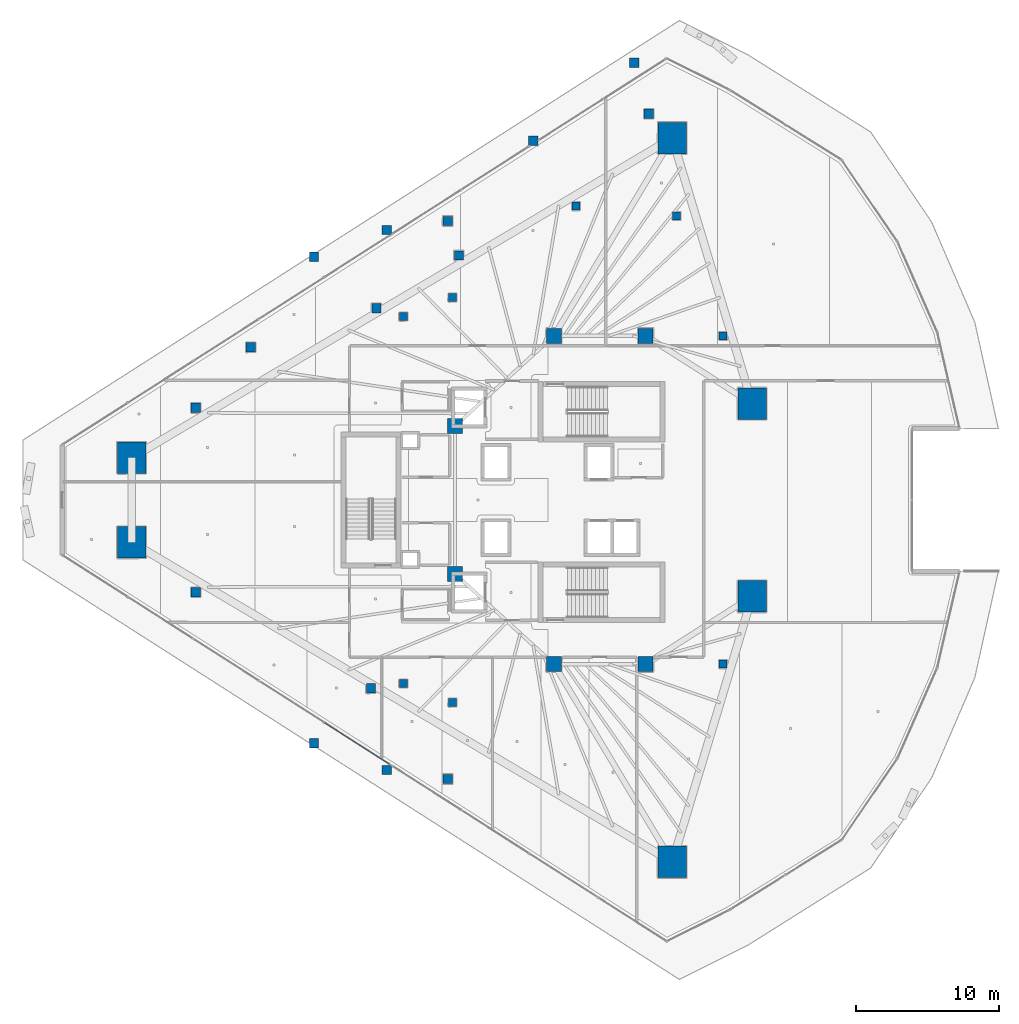
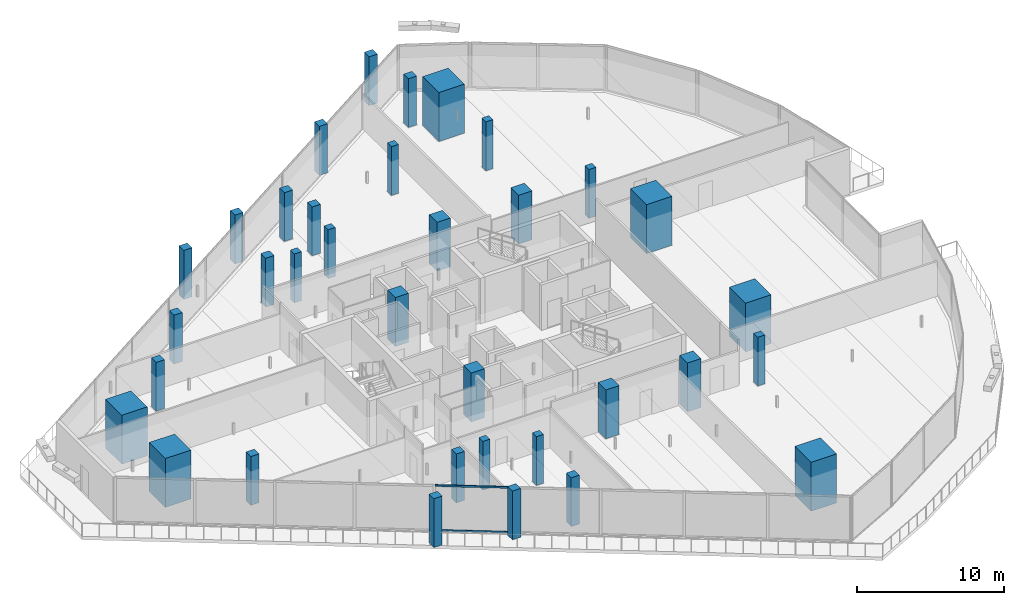
# One storey, part 1 of 42: 35 columns, 2 members, 1 element without a shape of its own.
"""IFC4 building model written with IfcOpenShell, lengths in metres."""

from ifc_helpers import new_model, si_unit, direction, frame, origin, origin_2d, place, context, subcontext, project, spatial, rectangle, hollow_rectangle, extrude, material, layer, layer_set, material_profile, profile_set, type_object, element, aggregate, save


model = new_model("IFC4")

# Units and contexts
model_context = context("Model", 3, precision=1e-05, world=origin(), true_north=direction((0.0, 1.0)))
body_context = subcontext(model_context, "Body", "Model", "MODEL_VIEW")
ifc_project = project(units=[si_unit("LENGTHUNIT", "METRE"), si_unit("AREAUNIT", "SQUARE_METRE"), si_unit("VOLUMEUNIT", "CUBIC_METRE"), si_unit("PLANEANGLEUNIT", "RADIAN"), si_unit("MASSUNIT", "GRAM", prefix="KILO")], contexts=[model_context])

# Site, building, storey
site_placement = place(None, origin())
site = spatial("IfcSite", under=ifc_project, at=site_placement, CompositionType="ELEMENT")
building_placement = place(site_placement, origin())
building = spatial("IfcBuilding", under=site, at=building_placement, Name="Qorvath Tower", CompositionType="ELEMENT")
storey_placement = place(building_placement, frame((0.0, 0.0, 117.89990234375)))
storey = spatial("IfcBuildingStorey", under=building, at=storey_placement, Name="L26", CompositionType="ELEMENT", Elevation=117.89990234375)

# Columns
ifc_material_1 = material(Name="Concrete C70/85", Category="concrete")
ifc_material_profile_1 = material_profile(ifc_material_1, rectangle(XDim=2.0, YDim=2.199951171875, at=origin_2d()), Name="MC 2200x2000")
ifc_profile_set_1 = profile_set([ifc_material_profile_1], Name="Concrete C70/85")
column_type_1 = type_object("IfcColumnType", Name="COL-MC2", PredefinedType="COLUMN", material=ifc_profile_set_1)
for number, where, z_axis, x_axis, name in (
    (1, (-53.04931640625, 2.95068359375, 0.0), (0.0, 0.0, 1.0), (1.0, 0.0, 0.0), "Composite Mega-Column MC1 L26"),
    (2, (-53.04931640625, -2.95068359375, 0.0), (0.0, 0.0, 1.0), (1.0, 0.0, 0.0), "Composite Mega-Column MC2 L26"),
    (3, (-15.34423828125, -25.24609375, 0.0), (0.0, 0.0, 1.0), (1.0, 0.0, 0.0), "Composite Mega-Column MC3 L26"),
    (4, (-9.770263671875, -6.721435546875, 0.0), (0.0, 0.0, 1.0), (1.0, 0.0, 0.0), "Composite Mega-Column MC4 L26"),
    (5, (-9.770263671875, 6.721435546875, 0.0), (0.0, 0.0, 1.0), (1.0, 0.0, 0.0), "Composite Mega-Column MC5 L26"),
    (6, (-15.34423828125, 25.24609375, 0.0), (0.0, 0.0, 1.0), (1.0, 0.0, 0.0), "Composite Mega-Column MC6 L26"),
):
    element("IfcColumn", number, at=place(storey_placement, frame(where, z_axis=z_axis, x_axis=x_axis)), inside=storey, type_object=column_type_1, Name=name, PredefinedType="COLUMN", context=body_context, shape_type="SweptSolid", body=[
        extrude(rectangle(XDim=2.0, YDim=2.199951171875, at=origin_2d()), origin(), (0.0, 0.0, 1.0), 4.050048828125),
    ])
ifc_material_2 = material(Name="Concrete C60/75", Category="concrete")
ifc_material_profile_2 = material_profile(ifc_material_2, rectangle(XDim=1.050048828125, YDim=1.050048828125, at=origin_2d()), Name="RC 1050x1050")
ifc_profile_set_2 = profile_set([ifc_material_profile_2], Name="Concrete C60/75")
column_type_2 = type_object("IfcColumnType", Name="COL-RC2", PredefinedType="COLUMN", material=ifc_profile_set_2)
for number, where, z_axis, x_axis, name in (
    (7, (-23.60009765625, 11.449951171875, 0.0), (0.0, 0.0, 1.0), (1.0, 0.0, 0.0), "Core Spine Column CC1 L26"),
    (8, (-17.199951171875, 11.449951171875, 0.0), (0.0, 0.0, 1.0), (1.0, 0.0, 0.0), "Core Spine Column CC2 L26"),
    (9, (-17.199951171875, -11.449951171875, 0.0), (0.0, 0.0, 1.0), (1.0, 0.0, 0.0), "Core Spine Column CC3 L26"),
    (10, (-23.60009765625, -11.449951171875, 0.0), (0.0, 0.0, 1.0), (1.0, 0.0, 0.0), "Core Spine Column CC4 L26"),
    (11, (-30.5, 5.14990234375, 0.0), (0.0, 0.0, 1.0), (1.0, 0.0, 0.0), "Core Spine Column CC5 L26"),
    (12, (-30.5, -5.14990234375, 0.0), (0.0, 0.0, 1.0), (1.0, 0.0, 0.0), "Core Spine Column CC6 L26"),
):
    element("IfcColumn", number, at=place(storey_placement, frame(where, z_axis=z_axis, x_axis=x_axis)), inside=storey, type_object=column_type_2, Name=name, PredefinedType="COLUMN", context=body_context, shape_type="SweptSolid", body=[
        extrude(rectangle(XDim=1.050048828125, YDim=1.050048828125, at=origin_2d()), origin(), (0.0, 0.0, 1.0), 4.050048828125),
    ])
ifc_material_3 = material(Name="Concrete C45/55", Category="concrete")
ifc_material_profile_3 = material_profile(ifc_material_3, rectangle(XDim=0.64990234375, YDim=0.64990234375, at=origin_2d()), Name="RC 650x650")
ifc_profile_set_3 = profile_set([ifc_material_profile_3], Name="Concrete C45/55")
column_type_3 = type_object("IfcColumnType", Name="COL-RC6", PredefinedType="COLUMN", material=ifc_profile_set_3)
for number, where, z_axis, x_axis, name in (
    (13, (-40.33251953125, 16.955810546875, 0.0), (0.0, 0.0, 1.0), (1.0, 0.0, 0.0), "Loggia Frame Pier Column LGB1 L26"),
    (14, (-40.33251953125, -16.955810546875, 0.0), (0.0, 0.0, 1.0), (1.0, 0.0, 0.0), "Loggia Frame Pier Column LGB2 L26"),
    (15, (-18.0, 30.5, 0.0), (0.0, 0.0, 1.0), (1.0, 0.0, 0.0), "Loggia Frame Pier Column LGB3 L26"),
    (16, (-35.251708984375, 18.829345703125, 0.0), (0.0, 0.0, 1.0), (1.0, 0.0, 0.0), "Loggia Frame Pier Column LGC1 L26"),
    (17, (-35.251708984375, -18.829345703125, 0.0), (0.0, 0.0, 1.0), (1.0, 0.0, 0.0), "Loggia Frame Pier Column LGC2 L26"),
    (18, (-25.03759765625, 25.058837890625, 0.0), (0.0, 0.0, 1.0), (1.0, 0.0, 0.0), "Loggia Frame Pier Column LGC3 L26"),
    (19, (-31.01611328125, 19.46044921875, 0.0), (0.0, 0.0, 1.0), (1.0, 0.0, 0.0), "Loggia Frame Pier Column LGD1 L26"),
    (20, (-31.01611328125, -19.46044921875, 0.0), (0.0, 0.0, 1.0), (1.0, 0.0, 0.0), "Loggia Frame Pier Column LGD2 L26"),
    (21, (-44.736328125, 10.65234375, 0.0), (0.0, 0.0, 1.0), (1.0, 0.0, 0.0), "Loggia Frame Pier Column LGD3 L26"),
    (22, (-48.578369140625, 6.424560546875, 0.0), (0.0, 0.0, 1.0), (1.0, 0.0, 0.0), "Loggia Frame Pier Column LGE1 L26"),
    (23, (-48.578369140625, -6.424560546875, 0.0), (0.0, 0.0, 1.0), (1.0, 0.0, 0.0), "Loggia Frame Pier Column LGE2 L26"),
    (24, (-16.981201171875, 26.92919921875, 0.0), (0.0, 0.0, 1.0), (1.0, 0.0, 0.0), "Loggia Frame Pier Column LGE3 L26"),
    (25, (-35.980712890625, 13.380859375, 0.0), (0.0, 0.0, 1.0), (1.0, 0.0, 0.0), "Loggia Frame Pier Column LGF1 L26"),
    (26, (-36.36474609375, -13.135498046875, 0.0), (0.0, 0.0, 1.0), (1.0, 0.0, 0.0), "Loggia Frame Pier Column LGF2 L26"),
    (27, (-30.224853515625, 17.0595703125, 0.0), (0.0, 0.0, 1.0), (1.0, 0.0, 0.0), "Loggia Frame Pier Column LGF3 L26"),
):
    element("IfcColumn", number, at=place(storey_placement, frame(where, z_axis=z_axis, x_axis=x_axis)), inside=storey, type_object=column_type_3, Name=name, PredefinedType="COLUMN", context=body_context, shape_type="SweptSolid", body=[
        extrude(rectangle(XDim=0.64990234375, YDim=0.64990234375, at=origin_2d()), origin(), (0.0, 0.0, 1.0), 4.050048828125),
    ])
ifc_material_4 = material(Name="Concrete C45/55", Category="concrete")
ifc_material_profile_4 = material_profile(ifc_material_4, rectangle(XDim=0.550048828125, YDim=0.550048828125, at=origin_2d()), Name="RC 550x550")
ifc_profile_set_4 = profile_set([ifc_material_profile_4], Name="Concrete C45/55")
column_type_4 = type_object("IfcColumnType", Name="COL-RC7", PredefinedType="COLUMN", material=ifc_profile_set_4)
for number, where, z_axis, x_axis, name in (
    (28, (-34.104248046875, 12.79248046875, 0.0), (0.0, 0.0, 1.0), (1.0, 0.0, 0.0), "Loggia Frame Pier Column LGG1 L26"),
    (29, (-34.104248046875, -12.79248046875, 0.0), (0.0, 0.0, 1.0), (1.0, 0.0, 0.0), "Loggia Frame Pier Column LGG2 L26"),
    (30, (-22.05322265625, 20.494873046875, 0.0), (0.0, 0.0, 1.0), (1.0, 0.0, 0.0), "Loggia Frame Pier Column LGG3 L26"),
    (31, (-30.67724609375, 14.124267578125, 0.0), (0.0, 0.0, 1.0), (1.0, 0.0, 0.0), "Loggia Frame Pier Column LGH1 L26"),
    (32, (-30.67724609375, -14.124267578125, 0.0), (0.0, 0.0, 1.0), (1.0, 0.0, 0.0), "Loggia Frame Pier Column LGH2 L26"),
    (33, (-15.046142578125, 19.818115234375, 0.0), (0.0, 0.0, 1.0), (1.0, 0.0, 0.0), "Loggia Frame Pier Column LGH3 L26"),
    (34, (-11.800048828125, -11.449951171875, 0.0), (0.0, 0.0, 1.0), (1.0, 0.0, 0.0), "Central Slot Jamb Column SC1 L26"),
    (35, (-11.800048828125, 11.449951171875, 0.0), (0.0, 0.0, 1.0), (1.0, 0.0, 0.0), "Central Slot Jamb Column SC2 L26"),
):
    element("IfcColumn", number, at=place(storey_placement, frame(where, z_axis=z_axis, x_axis=x_axis)), inside=storey, type_object=column_type_4, Name=name, PredefinedType="COLUMN", context=body_context, shape_type="SweptSolid", body=[
        extrude(rectangle(XDim=0.550048828125, YDim=0.550048828125, at=origin_2d()), origin(), (0.0, 0.0, 1.0), 4.050048828125),
    ])

# Curtain wall, members
ifc_material_5 = material(Name="Anodised aluminium and triple low-E glass", Category="aluminium")
ifc_layer = layer(ifc_material_5, 0.179931640625)
ifc_layer_set = layer_set([ifc_layer], Name="CW-SYS-2")
curtain_wall_type = type_object("IfcCurtainWallType", Name="CW-SYS-2", PredefinedType="NOTDEFINED", material=ifc_layer_set)
curtain_wall_placement = place(storey_placement, origin())
curtain_wall = element("IfcCurtainWall", 36, at=curtain_wall_placement, inside=storey, type_object=curtain_wall_type, Name="Curtain Wall CW-2 CW-T-L26-2.1", PredefinedType="NOTDEFINED")
ifc_material_6 = material(Name="Anodised aluminium 6063-T6", Category="aluminium")
ifc_material_profile_5 = material_profile(ifc_material_6, hollow_rectangle(XDim=0.06494140625, YDim=0.159912109375, WallThickness=0.00341796875, InnerFilletRadius=0.00341796875, OuterFilletRadius=0.007080078125, at=origin_2d()), Name="CWT 160x65")
ifc_profile_set_5 = profile_set([ifc_material_profile_5], Name="Anodised aluminium 6063-T6")
member_type = type_object("IfcMemberType", Name="CWT-160", PredefinedType="USERDEFINED", material=ifc_profile_set_5)
member_1_placement = place(storey_placement, frame((-39.57373046875, -15.5546875, 0.032470703125), z_axis=(0.842595771585, -0.53854653068, 0.0), x_axis=(0.53854653068, 0.842595771585, 0.0)))
member_1 = element("IfcMember", 37, at=member_1_placement, type_object=member_type, Name="CW-2 transom 5.1", ObjectType="TRANSOM", PredefinedType="USERDEFINED", context=body_context, shape_type="SweptSolid", body=[
    extrude(hollow_rectangle(XDim=0.06494140625, YDim=0.159912109375, WallThickness=0.00341796875, InnerFilletRadius=0.00341796875, OuterFilletRadius=0.007080078125, at=origin_2d()), origin(), (0.0, 0.0, 1.0), 5.328369140625),
])
member_2_placement = place(storey_placement, frame((-39.57373046875, -15.5546875, 3.737548828125), z_axis=(0.842595771585, -0.53854653068, 0.0), x_axis=(0.53854653068, 0.842595771585, 0.0)))
member_2 = element("IfcMember", 38, at=member_2_placement, type_object=member_type, Name="CW-2 transom 5.2", ObjectType="TRANSOM", PredefinedType="USERDEFINED", context=body_context, shape_type="SweptSolid", body=[
    extrude(hollow_rectangle(XDim=0.06494140625, YDim=0.159912109375, WallThickness=0.00341796875, InnerFilletRadius=0.00341796875, OuterFilletRadius=0.007080078125, at=origin_2d()), origin(), (0.0, 0.0, 1.0), 5.328369140625),
])
aggregate(curtain_wall, [member_1, member_2])

save(model, "model.ifc")
